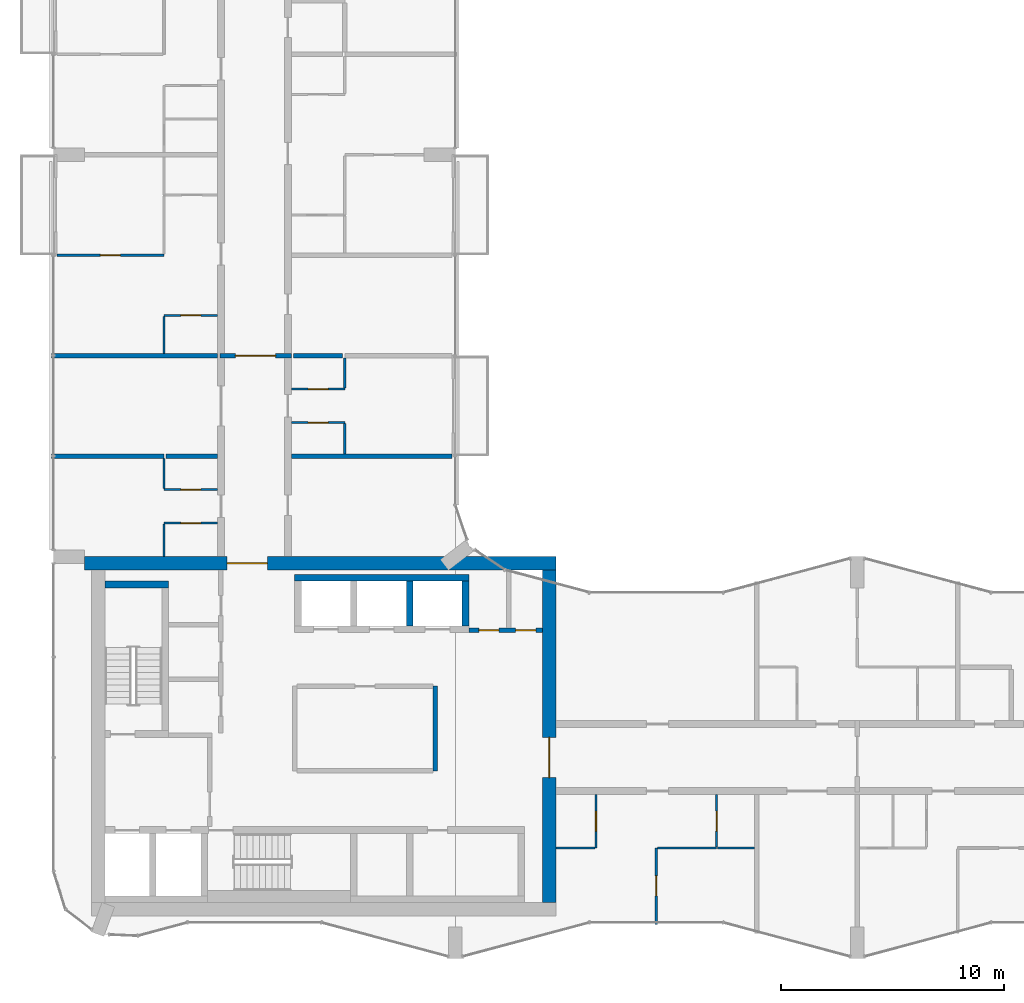
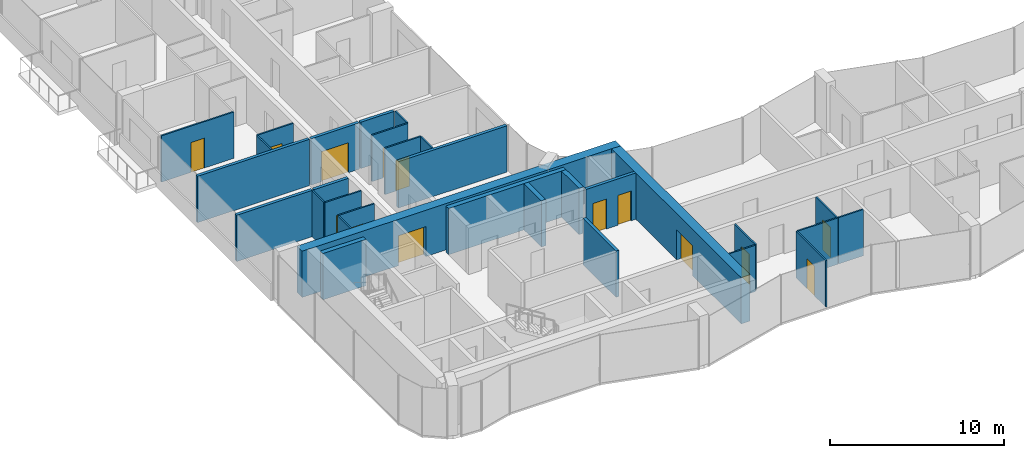
# One storey, part 10 of 15: 31 walls, 14 doors, 14 openings.
"""IFC4 building model written with IfcOpenShell, lengths in metres."""

from ifc_helpers import new_model, si_unit, direction, frame, frame_2d, origin, place, context, subcontext, project, spatial, rectangle, extrude, material, layer, layer_set, type_object, element, fill, save


model = new_model("IFC4")

# Units and contexts
model_context = context("Model", 3, precision=1e-05, world=origin(), true_north=direction((0.0, 1.0)))
body_context = subcontext(model_context, "Body", "Model", "MODEL_VIEW")
ifc_project = project(units=[si_unit("LENGTHUNIT", "METRE"), si_unit("AREAUNIT", "SQUARE_METRE"), si_unit("VOLUMEUNIT", "CUBIC_METRE"), si_unit("PLANEANGLEUNIT", "RADIAN"), si_unit("MASSUNIT", "GRAM", prefix="KILO")], contexts=[model_context])

# Site, building, storey
site_placement = place(None, origin())
site = spatial("IfcSite", under=ifc_project, at=site_placement, CompositionType="ELEMENT")
building_placement = place(site_placement, origin())
building = spatial("IfcBuilding", under=site, at=building_placement, Name="Plateau Cross Towers", CompositionType="ELEMENT")
storey_placement = place(building_placement, frame((0.0, 0.0, 156.89990234375)))
storey = spatial("IfcBuildingStorey", under=building, at=storey_placement, Name="L40", CompositionType="ELEMENT", Elevation=156.89990234375)

# Wall
ifc_material_1 = material(Name="Concrete block, plastered both sides", Category="concrete")
ifc_layer_1 = layer(ifc_material_1, 0.199951171875)
ifc_layer_set_1 = layer_set([ifc_layer_1], Name="Concrete block, plastered both sides")
wall_type_1 = type_object("IfcWallType", Name="Core partition 200", PredefinedType="PARTITIONING", material=ifc_layer_set_1)
wall_1_placement = place(storey_placement, frame((17.10009765625, 8.39990234375, 0.0), z_axis=(0.0, 0.0, 1.0), x_axis=(0.0, 1.0, 0.0)))
element("IfcWall", 1, at=wall_1_placement, inside=storey, type_object=wall_type_1, Name="Core partition", PredefinedType="PARTITIONING", context=body_context, shape_type="SweptSolid", body=[
    extrude(rectangle(XDim=3.800048828125, YDim=0.199951171875, at=frame_2d((1.89990234375, 0.0))), origin(), (0.0, 0.0, 1.0), 3.25),
])

# Wall, openings, doors
wall_2_placement = place(storey_placement, frame((18.60009765625, 14.699951171875, 0.0), z_axis=(0.0, 0.0, 1.0), x_axis=(1.0, 0.0, 0.0)))
wall_2 = element("IfcWall", 2, at=wall_2_placement, inside=storey, type_object=wall_type_1, Name="Core partition", PredefinedType="PARTITIONING", context=body_context, shape_type="SweptSolid", body=[
    extrude(rectangle(XDim=3.2998046875, YDim=0.199951171875, at=frame_2d((1.64990234375, 0.0))), origin(), (0.0, 0.0, 1.0), 3.25),
])
opening_1_placement = place(wall_2_placement, frame((0.449951171875, 0.0, 0.0)))
opening_1 = element("IfcOpeningElement", 3, at=opening_1_placement, cuts=wall_2, Name="Opening RD2", PredefinedType="OPENING", context=body_context, shape_type="SweptSolid", body=[
    extrude(rectangle(XDim=0.89990234375, YDim=2.10009765625, at=frame_2d((0.449951171875, 1.050048828125))), frame((0.0, 0.10986328125, 0.0), z_axis=(0.0, -1.0, 0.0), x_axis=(1.0, 0.0, 0.0)), (0.0, 0.0, 1.0), 0.219970703125),
])
opening_2_placement = place(wall_2_placement, frame((2.10009765625, 0.0, 0.0)))
opening_2 = element("IfcOpeningElement", 4, at=opening_2_placement, cuts=wall_2, Name="Opening RD2", PredefinedType="OPENING", context=body_context, shape_type="SweptSolid", body=[
    extrude(rectangle(XDim=0.89990234375, YDim=2.10009765625, at=frame_2d((0.449951171875, 1.050048828125))), frame((0.0, 0.10986328125, 0.0), z_axis=(0.0, -1.0, 0.0), x_axis=(1.0, 0.0, 0.0)), (0.0, 0.0, 1.0), 0.219970703125),
])
ifc_material_2 = material(Name="Steel, fire-resisting leaf", Category="steel")
door_type_1 = type_object("IfcDoorType", Name="Core riser door 900", OperationType="NOTDEFINED", PredefinedType="DOOR", material=ifc_material_2)
door_1_placement = place(opening_1_placement, origin())
door_1 = element("IfcDoor", 5, at=door_1_placement, inside=storey, type_object=door_type_1, Name="Core riser door RD2", OperationType="SINGLE_SWING_LEFT", OverallHeight=2.10009765625, OverallWidth=0.89990234375, PredefinedType="DOOR", context=body_context, shape_type="SweptSolid", body=[
    extrude(rectangle(XDim=0.89990234375, YDim=2.10009765625, at=frame_2d((0.449951171875, 1.050048828125))), frame((0.0, 0.02490234375, 0.0), z_axis=(0.0, -1.0, 0.0), x_axis=(1.0, 0.0, 0.0)), (0.0, 0.0, 1.0), 0.050048828125),
])
fill(opening_1, door_1)
door_2_placement = place(opening_2_placement, origin())
door_2 = element("IfcDoor", 6, at=door_2_placement, inside=storey, type_object=door_type_1, Name="Core riser door RD2", OperationType="SINGLE_SWING_LEFT", OverallHeight=2.10009765625, OverallWidth=0.89990234375, PredefinedType="DOOR", context=body_context, shape_type="SweptSolid", body=[
    extrude(rectangle(XDim=0.89990234375, YDim=2.10009765625, at=frame_2d((0.449951171875, 1.050048828125))), frame((0.0, 0.02490234375, 0.0), z_axis=(0.0, -1.0, 0.0), x_axis=(1.0, 0.0, 0.0)), (0.0, 0.0, 1.0), 0.050048828125),
])
fill(opening_2, door_2)

# Walls
ifc_material_3 = material(Name="Concrete C60/75", Category="concrete")
ifc_layer_2 = layer(ifc_material_3, 0.300048828125)
ifc_layer_set_2 = layer_set([ifc_layer_2], Name="Concrete C60/75")
wall_type_2 = type_object("IfcWallType", Name="Core shaft wall 300", PredefinedType="SHEAR", material=ifc_layer_set_2)
wall_3_placement = place(storey_placement, frame((2.300048828125, 16.75, 0.0), z_axis=(0.0, 0.0, 1.0), x_axis=(1.0, 0.0, 0.0)))
element("IfcWall", 7, at=wall_3_placement, inside=storey, type_object=wall_type_2, Name="A-st1-N@L40", PredefinedType="SHEAR", context=body_context, shape_type="SweptSolid", body=[
    extrude(rectangle(XDim=2.849853515625, YDim=0.300048828125, at=frame_2d((1.4248046875, 0.0))), origin(), (0.0, 0.0, 1.0), 3.25),
])
wall_4_placement = place(storey_placement, frame((10.800048828125, 17.050048828125, 0.0), z_axis=(0.0, 0.0, 1.0), x_axis=(1.0, 0.0, 0.0)))
element("IfcWall", 8, at=wall_4_placement, inside=storey, type_object=wall_type_2, Name="A-nb-back@L40", PredefinedType="SHEAR", context=body_context, shape_type="SweptSolid", body=[
    extrude(rectangle(XDim=7.800048828125, YDim=0.300048828125, at=frame_2d((3.89990234375, 0.0))), origin(), (0.0, 0.0, 1.0), 3.25),
])
for number, where, z_axis, x_axis, name in (
    (9, (15.949951171875, 14.89990234375, 0.0), (0.0, 0.0, 1.0), (0.0, 1.0, 0.0), "A-nb-v3@L40"),
    (10, (18.449951171875, 14.89990234375, 0.0), (0.0, 0.0, 1.0), (0.0, 1.0, 0.0), "A-nb-v4@L40"),
):
    element("IfcWall", number, at=place(storey_placement, frame(where, z_axis=z_axis, x_axis=x_axis)), inside=storey, type_object=wall_type_2, Name=name, PredefinedType="SHEAR", context=body_context, shape_type="SweptSolid", body=[
        extrude(rectangle(XDim=2.0, YDim=0.300048828125, at=frame_2d((1.0, 0.0))), origin(), (0.0, 0.0, 1.0), 3.25),
    ])

# Wall, opening, door
ifc_layer_3 = layer(ifc_material_3, 0.60009765625)
ifc_layer_set_3 = layer_set([ifc_layer_3], Name="Concrete C60/75")
wall_type_3 = type_object("IfcWallType", Name="Core shell wall 600", PredefinedType="SHEAR", material=ifc_layer_set_3)
wall_5_placement = place(storey_placement, frame((1.3798828125, 17.699951171875, 0.0), z_axis=(0.0, 0.0, 1.0), x_axis=(1.0, 0.0, 0.0)))
wall_5 = element("IfcWall", 11, at=wall_5_placement, inside=storey, type_object=wall_type_3, Name="A-core-N@L40", PredefinedType="SHEAR", context=body_context, shape_type="SweptSolid", body=[
    extrude(rectangle(XDim=21.1201171875, YDim=0.60009765625, at=frame_2d((10.56005859375, 0.0))), origin(), (0.0, 0.0, 1.0), 3.25),
])
opening_3_placement = place(wall_5_placement, frame((6.39990234375, 0.0, 0.0)))
opening_3 = element("IfcOpeningElement", 12, at=opening_3_placement, cuts=wall_5, Name="Opening CD", PredefinedType="OPENING", context=body_context, shape_type="SweptSolid", body=[
    extrude(rectangle(XDim=1.800048828125, YDim=2.10009765625, at=frame_2d((0.89990234375, 1.050048828125))), frame((0.0, 0.31005859375, 0.0), z_axis=(0.0, -1.0, 0.0), x_axis=(1.0, 0.0, 0.0)), (0.0, 0.0, 1.0), 0.6201171875),
])
ifc_material_4 = material(Name="Steel, fire-resisting leaves", Category="steel")
door_type_2 = type_object("IfcDoorType", Name="Corridor door pair 1800", OperationType="NOTDEFINED", PredefinedType="DOOR", material=ifc_material_4)
door_3_placement = place(opening_3_placement, origin())
door_3 = element("IfcDoor", 13, at=door_3_placement, inside=storey, type_object=door_type_2, Name="Corridor door pair CD", OperationType="DOUBLE_DOOR_SINGLE_SWING", OverallHeight=2.10009765625, OverallWidth=1.800048828125, PredefinedType="DOOR", context=body_context, shape_type="SweptSolid", body=[
    extrude(rectangle(XDim=1.800048828125, YDim=2.10009765625, at=frame_2d((0.89990234375, 1.050048828125))), frame((0.0, 0.02490234375, 0.0), z_axis=(0.0, -1.0, 0.0), x_axis=(1.0, 0.0, 0.0)), (0.0, 0.0, 1.0), 0.050048828125),
])
fill(opening_3, door_3)

wall_6_placement = place(storey_placement, frame((22.199951171875, 2.5, 0.0), z_axis=(0.0, 0.0, 1.0), x_axis=(0.0, 1.0, 0.0)))
wall_6 = element("IfcWall", 14, at=wall_6_placement, inside=storey, type_object=wall_type_3, Name="A-core-E@L40", PredefinedType="SHEAR", context=body_context, shape_type="SweptSolid", body=[
    extrude(rectangle(XDim=14.89990234375, YDim=0.60009765625, at=frame_2d((7.449951171875, 0.0))), origin(), (0.0, 0.0, 1.0), 3.25),
])
opening_4_placement = place(wall_6_placement, frame((5.60009765625, 0.0, 0.0)))
opening_4 = element("IfcOpeningElement", 15, at=opening_4_placement, cuts=wall_6, Name="Opening CD", PredefinedType="OPENING", context=body_context, shape_type="SweptSolid", body=[
    extrude(rectangle(XDim=1.800048828125, YDim=2.10009765625, at=frame_2d((0.89990234375, 1.050048828125))), frame((0.0, 0.31005859375, 0.0), z_axis=(0.0, -1.0, 0.0), x_axis=(1.0, 0.0, 0.0)), (0.0, 0.0, 1.0), 0.6201171875),
])
door_4_placement = place(opening_4_placement, origin())
door_4 = element("IfcDoor", 16, at=door_4_placement, inside=storey, type_object=door_type_2, Name="Corridor door pair CD", OperationType="DOUBLE_DOOR_SINGLE_SWING", OverallHeight=2.10009765625, OverallWidth=1.800048828125, PredefinedType="DOOR", context=body_context, shape_type="SweptSolid", body=[
    extrude(rectangle(XDim=1.800048828125, YDim=2.10009765625, at=frame_2d((0.89990234375, 1.050048828125))), frame((0.0, 0.02490234375, 0.0), z_axis=(0.0, -1.0, 0.0), x_axis=(1.0, 0.0, 0.0)), (0.0, 0.0, 1.0), 0.050048828125),
])
fill(opening_4, door_4)

# Walls
ifc_material_5 = material(Name="Gypsum board on steel studs", Category="steel")
ifc_layer_4 = layer(ifc_material_5, 0.10009765625)
ifc_layer_set_4 = layer_set([ifc_layer_4], Name="Gypsum board on steel studs")
wall_type_4 = type_object("IfcWallType", Name="Flat partition 100", PredefinedType="PARTITIONING", material=ifc_layer_set_4)
wall_7_placement = place(storey_placement, frame((29.699951171875, 4.949951171875, 0.0), z_axis=(0.0, 0.0, 1.0), x_axis=(-1.0, 0.0, 0.0)))
element("IfcWall", 17, at=wall_7_placement, inside=storey, type_object=wall_type_4, Name="Partition wall", PredefinedType="PARTITIONING", context=body_context, shape_type="SweptSolid", body=[
    extrude(rectangle(XDim=2.64990234375, YDim=0.10009765625, at=frame_2d((1.324951171875, 0.0))), origin(), (0.0, 0.0, 1.0), 3.25),
])
wall_8_placement = place(storey_placement, frame((22.5, 4.949951171875, 0.0), z_axis=(0.0, 0.0, 1.0), x_axis=(1.0, 0.0, 0.0)))
element("IfcWall", 18, at=wall_8_placement, inside=storey, type_object=wall_type_4, Name="Partition wall", PredefinedType="PARTITIONING", context=body_context, shape_type="SweptSolid", body=[
    extrude(rectangle(XDim=1.75, YDim=0.10009765625, at=frame_2d((0.875, 0.0))), origin(), (0.0, 0.0, 1.0), 3.25),
])
wall_9_placement = place(storey_placement, frame((29.75, 4.949951171875, 0.0), z_axis=(0.0, 0.0, 1.0), x_axis=(1.0, 0.0, 0.0)))
element("IfcWall", 19, at=wall_9_placement, inside=storey, type_object=wall_type_4, Name="Partition wall", PredefinedType="PARTITIONING", context=body_context, shape_type="SweptSolid", body=[
    extrude(rectangle(XDim=1.64990234375, YDim=0.10009765625, at=frame_2d((0.824951171875, 0.0))), origin(), (0.0, 0.0, 1.0), 3.25),
])

# Wall, opening, door
wall_10_placement = place(storey_placement, frame((7.35009765625, 19.5, 0.0), z_axis=(0.0, 0.0, 1.0), x_axis=(-1.0, 0.0, 0.0)))
wall_10 = element("IfcWall", 20, at=wall_10_placement, inside=storey, type_object=wall_type_4, Name="Partition wall", PredefinedType="PARTITIONING", context=body_context, shape_type="SweptSolid", body=[
    extrude(rectangle(XDim=2.400146484375, YDim=0.10009765625, at=frame_2d((1.2001953125, 0.0))), origin(), (0.0, 0.0, 1.0), 3.25),
])
opening_5_placement = place(wall_10_placement, frame((0.75, 0.0, 0.0)))
opening_5 = element("IfcOpeningElement", 21, at=opening_5_placement, cuts=wall_10, Name="Opening 40-33", PredefinedType="OPENING", context=body_context, shape_type="SweptSolid", body=[
    extrude(rectangle(XDim=0.89990234375, YDim=2.10009765625, at=frame_2d((0.449951171875, 1.050048828125))), frame((0.0, 0.06005859375, 0.0), z_axis=(0.0, -1.0, 0.0), x_axis=(1.0, 0.0, 0.0)), (0.0, 0.0, 1.0), 0.1201171875),
])
ifc_material_6 = material(Name="Timber leaf", Category="wood")
door_type_3 = type_object("IfcDoorType", Name="Flat room door 900", OperationType="NOTDEFINED", PredefinedType="DOOR", material=ifc_material_6)
door_5_placement = place(opening_5_placement, origin())
door_5 = element("IfcDoor", 22, at=door_5_placement, inside=storey, type_object=door_type_3, Name="Door 40-33", OperationType="SINGLE_SWING_RIGHT", OverallHeight=2.10009765625, OverallWidth=0.89990234375, PredefinedType="DOOR", context=body_context, shape_type="SweptSolid", body=[
    extrude(rectangle(XDim=0.89990234375, YDim=2.10009765625, at=frame_2d((0.449951171875, 1.050048828125))), frame((0.0, 0.02490234375, 0.0), z_axis=(0.0, -1.0, 0.0), x_axis=(1.0, 0.0, 0.0)), (0.0, 0.0, 1.0), 0.050048828125),
])
fill(opening_5, door_5)

wall_11_placement = place(storey_placement, frame((4.949951171875, 21.0, 0.0), z_axis=(0.0, 0.0, 1.0), x_axis=(1.0, 0.0, 0.0)))
wall_11 = element("IfcWall", 23, at=wall_11_placement, inside=storey, type_object=wall_type_4, Name="Partition wall", PredefinedType="PARTITIONING", context=body_context, shape_type="SweptSolid", body=[
    extrude(rectangle(XDim=2.400146484375, YDim=0.10009765625, at=frame_2d((1.2001953125, 0.0))), origin(), (0.0, 0.0, 1.0), 3.25),
])
opening_6_placement = place(wall_11_placement, frame((0.75, 0.0, 0.0)))
opening_6 = element("IfcOpeningElement", 24, at=opening_6_placement, cuts=wall_11, Name="Opening 40-34", PredefinedType="OPENING", context=body_context, shape_type="SweptSolid", body=[
    extrude(rectangle(XDim=0.89990234375, YDim=2.10009765625, at=frame_2d((0.449951171875, 1.050048828125))), frame((0.0, 0.06005859375, 0.0), z_axis=(0.0, -1.0, 0.0), x_axis=(1.0, 0.0, 0.0)), (0.0, 0.0, 1.0), 0.1201171875),
])
door_6_placement = place(opening_6_placement, origin())
door_6 = element("IfcDoor", 25, at=door_6_placement, inside=storey, type_object=door_type_3, Name="Door 40-34", OperationType="SINGLE_SWING_RIGHT", OverallHeight=2.10009765625, OverallWidth=0.89990234375, PredefinedType="DOOR", context=body_context, shape_type="SweptSolid", body=[
    extrude(rectangle(XDim=0.89990234375, YDim=2.10009765625, at=frame_2d((0.449951171875, 1.050048828125))), frame((0.0, 0.02490234375, 0.0), z_axis=(0.0, -1.0, 0.0), x_axis=(1.0, 0.0, 0.0)), (0.0, 0.0, 1.0), 0.050048828125),
])
fill(opening_6, door_6)

wall_12_placement = place(storey_placement, frame((13.050048828125, 24.0, 0.0), z_axis=(0.0, 0.0, 1.0), x_axis=(-1.0, 0.0, 0.0)))
wall_12 = element("IfcWall", 26, at=wall_12_placement, inside=storey, type_object=wall_type_4, Name="Partition wall", PredefinedType="PARTITIONING", context=body_context, shape_type="SweptSolid", body=[
    extrude(rectangle(XDim=2.400146484375, YDim=0.10009765625, at=frame_2d((1.2001953125, 0.0))), origin(), (0.0, 0.0, 1.0), 3.25),
])
opening_7_placement = place(wall_12_placement, frame((0.75, 0.0, 0.0)))
opening_7 = element("IfcOpeningElement", 27, at=opening_7_placement, cuts=wall_12, Name="Opening 40-43", PredefinedType="OPENING", context=body_context, shape_type="SweptSolid", body=[
    extrude(rectangle(XDim=0.89990234375, YDim=2.10009765625, at=frame_2d((0.449951171875, 1.050048828125))), frame((0.0, 0.06005859375, 0.0), z_axis=(0.0, -1.0, 0.0), x_axis=(1.0, 0.0, 0.0)), (0.0, 0.0, 1.0), 0.1201171875),
])
door_7_placement = place(opening_7_placement, origin())
door_7 = element("IfcDoor", 28, at=door_7_placement, inside=storey, type_object=door_type_3, Name="Door 40-43", OperationType="SINGLE_SWING_LEFT", OverallHeight=2.10009765625, OverallWidth=0.89990234375, PredefinedType="DOOR", context=body_context, shape_type="SweptSolid", body=[
    extrude(rectangle(XDim=0.89990234375, YDim=2.10009765625, at=frame_2d((0.449951171875, 1.050048828125))), frame((0.0, 0.02490234375, 0.0), z_axis=(0.0, -1.0, 0.0), x_axis=(1.0, 0.0, 0.0)), (0.0, 0.0, 1.0), 0.050048828125),
])
fill(opening_7, door_7)

wall_13_placement = place(storey_placement, frame((10.64990234375, 25.5, 0.0), z_axis=(0.0, 0.0, 1.0), x_axis=(1.0, 0.0, 0.0)))
wall_13 = element("IfcWall", 29, at=wall_13_placement, inside=storey, type_object=wall_type_4, Name="Partition wall", PredefinedType="PARTITIONING", context=body_context, shape_type="SweptSolid", body=[
    extrude(rectangle(XDim=2.400146484375, YDim=0.10009765625, at=frame_2d((1.2001953125, 0.0))), origin(), (0.0, 0.0, 1.0), 3.25),
])
opening_8_placement = place(wall_13_placement, frame((0.75, 0.0, 0.0)))
opening_8 = element("IfcOpeningElement", 30, at=opening_8_placement, cuts=wall_13, Name="Opening 40-44", PredefinedType="OPENING", context=body_context, shape_type="SweptSolid", body=[
    extrude(rectangle(XDim=0.89990234375, YDim=2.10009765625, at=frame_2d((0.449951171875, 1.050048828125))), frame((0.0, 0.06005859375, 0.0), z_axis=(0.0, -1.0, 0.0), x_axis=(1.0, 0.0, 0.0)), (0.0, 0.0, 1.0), 0.1201171875),
])
door_8_placement = place(opening_8_placement, origin())
door_8 = element("IfcDoor", 31, at=door_8_placement, inside=storey, type_object=door_type_3, Name="Door 40-44", OperationType="SINGLE_SWING_LEFT", OverallHeight=2.10009765625, OverallWidth=0.89990234375, PredefinedType="DOOR", context=body_context, shape_type="SweptSolid", body=[
    extrude(rectangle(XDim=0.89990234375, YDim=2.10009765625, at=frame_2d((0.449951171875, 1.050048828125))), frame((0.0, 0.02490234375, 0.0), z_axis=(0.0, -1.0, 0.0), x_axis=(1.0, 0.0, 0.0)), (0.0, 0.0, 1.0), 0.050048828125),
])
fill(opening_8, door_8)

wall_14_placement = place(storey_placement, frame((7.35009765625, 28.800048828125, 0.0), z_axis=(0.0, 0.0, 1.0), x_axis=(-1.0, 0.0, 0.0)))
wall_14 = element("IfcWall", 32, at=wall_14_placement, inside=storey, type_object=wall_type_4, Name="Partition wall", PredefinedType="PARTITIONING", context=body_context, shape_type="SweptSolid", body=[
    extrude(rectangle(XDim=2.400146484375, YDim=0.10009765625, at=frame_2d((1.2001953125, 0.0))), origin(), (0.0, 0.0, 1.0), 3.25),
])
opening_9_placement = place(wall_14_placement, frame((0.75, 0.0, 0.0)))
opening_9 = element("IfcOpeningElement", 33, at=opening_9_placement, cuts=wall_14, Name="Opening 40-35", PredefinedType="OPENING", context=body_context, shape_type="SweptSolid", body=[
    extrude(rectangle(XDim=0.89990234375, YDim=2.10009765625, at=frame_2d((0.449951171875, 1.050048828125))), frame((0.0, 0.06005859375, 0.0), z_axis=(0.0, -1.0, 0.0), x_axis=(1.0, 0.0, 0.0)), (0.0, 0.0, 1.0), 0.1201171875),
])
door_9_placement = place(opening_9_placement, origin())
door_9 = element("IfcDoor", 34, at=door_9_placement, inside=storey, type_object=door_type_3, Name="Door 40-35", OperationType="SINGLE_SWING_RIGHT", OverallHeight=2.10009765625, OverallWidth=0.89990234375, PredefinedType="DOOR", context=body_context, shape_type="SweptSolid", body=[
    extrude(rectangle(XDim=0.89990234375, YDim=2.10009765625, at=frame_2d((0.449951171875, 1.050048828125))), frame((0.0, 0.02490234375, 0.0), z_axis=(0.0, -1.0, 0.0), x_axis=(1.0, 0.0, 0.0)), (0.0, 0.0, 1.0), 0.050048828125),
])
fill(opening_9, door_9)

wall_15_placement = place(storey_placement, frame((0.14990234375, 31.5, 0.0), z_axis=(0.0, 0.0, 1.0), x_axis=(1.0, 0.0, 0.0)))
wall_15 = element("IfcWall", 35, at=wall_15_placement, inside=storey, type_object=wall_type_4, Name="Partition wall", PredefinedType="PARTITIONING", context=body_context, shape_type="SweptSolid", body=[
    extrude(rectangle(XDim=4.800048828125, YDim=0.10009765625, at=frame_2d((2.39990234375, 0.0))), origin(), (0.0, 0.0, 1.0), 3.25),
])
opening_10_placement = place(wall_15_placement, frame((1.949951171875, 0.0, 0.0)))
opening_10 = element("IfcOpeningElement", 36, at=opening_10_placement, cuts=wall_15, Name="Opening 40-37", PredefinedType="OPENING", context=body_context, shape_type="SweptSolid", body=[
    extrude(rectangle(XDim=0.89990234375, YDim=2.10009765625, at=frame_2d((0.449951171875, 1.050048828125))), frame((0.0, 0.06005859375, 0.0), z_axis=(0.0, -1.0, 0.0), x_axis=(1.0, 0.0, 0.0)), (0.0, 0.0, 1.0), 0.1201171875),
])
door_10_placement = place(opening_10_placement, origin())
door_10 = element("IfcDoor", 37, at=door_10_placement, inside=storey, type_object=door_type_3, Name="Door 40-37", OperationType="SINGLE_SWING_LEFT", OverallHeight=2.10009765625, OverallWidth=0.89990234375, PredefinedType="DOOR", context=body_context, shape_type="SweptSolid", body=[
    extrude(rectangle(XDim=0.89990234375, YDim=2.10009765625, at=frame_2d((0.449951171875, 1.050048828125))), frame((0.0, 0.02490234375, 0.0), z_axis=(0.0, -1.0, 0.0), x_axis=(1.0, 0.0, 0.0)), (0.0, 0.0, 1.0), 0.050048828125),
])
fill(opening_10, door_10)

# Walls
wall_16_placement = place(storey_placement, frame((4.949951171875, 19.449951171875, 0.0), z_axis=(0.0, 0.0, 1.0), x_axis=(0.0, -1.0, 0.0)))
element("IfcWall", 38, at=wall_16_placement, inside=storey, type_object=wall_type_4, Name="Partition wall", PredefinedType="PARTITIONING", context=body_context, shape_type="SweptSolid", body=[
    extrude(rectangle(XDim=1.449951171875, YDim=0.10009765625, at=frame_2d((0.72509765625, 0.0))), origin(), (0.0, 0.0, 1.0), 3.25),
])
wall_17_placement = place(storey_placement, frame((4.949951171875, 22.39990234375, 0.0), z_axis=(0.0, 0.0, 1.0), x_axis=(0.0, -1.0, 0.0)))
element("IfcWall", 39, at=wall_17_placement, inside=storey, type_object=wall_type_4, Name="Partition wall", PredefinedType="PARTITIONING", context=body_context, shape_type="SweptSolid", body=[
    extrude(rectangle(XDim=1.349853515625, YDim=0.10009765625, at=frame_2d((0.6748046875, 0.0))), origin(), (0.0, 0.0, 1.0), 3.25),
])
wall_18_placement = place(storey_placement, frame((4.949951171875, 28.75, 0.0), z_axis=(0.0, 0.0, 1.0), x_axis=(0.0, -1.0, 0.0)))
element("IfcWall", 40, at=wall_18_placement, inside=storey, type_object=wall_type_4, Name="Partition wall", PredefinedType="PARTITIONING", context=body_context, shape_type="SweptSolid", body=[
    extrude(rectangle(XDim=1.64990234375, YDim=0.10009765625, at=frame_2d((0.824951171875, 0.0))), origin(), (0.0, 0.0, 1.0), 3.25),
])
for number, where, z_axis, x_axis, name in (
    (41, (13.050048828125, 22.60009765625, 0.0), (0.0, 0.0, 1.0), (0.0, 1.0, 0.0), "Partition wall"),
    (42, (13.050048828125, 25.550048828125, 0.0), (0.0, 0.0, 1.0), (0.0, 1.0, 0.0), "Partition wall"),
):
    element("IfcWall", number, at=place(storey_placement, frame(where, z_axis=z_axis, x_axis=x_axis)), inside=storey, type_object=wall_type_4, Name=name, PredefinedType="PARTITIONING", context=body_context, shape_type="SweptSolid", body=[
        extrude(rectangle(XDim=1.349853515625, YDim=0.10009765625, at=frame_2d((0.6748046875, 0.0))), origin(), (0.0, 0.0, 1.0), 3.25),
    ])

# Wall, opening, door
wall_19_placement = place(storey_placement, frame((24.300048828125, 4.949951171875, 0.0), z_axis=(0.0, 0.0, 1.0), x_axis=(0.0, 1.0, 0.0)))
wall_19 = element("IfcWall", 43, at=wall_19_placement, inside=storey, type_object=wall_type_4, Name="Partition wall", PredefinedType="PARTITIONING", context=body_context, shape_type="SweptSolid", body=[
    extrude(rectangle(XDim=2.400146484375, YDim=0.10009765625, at=frame_2d((1.2001953125, 0.0))), origin(), (0.0, 0.0, 1.0), 3.25),
])
opening_11_placement = place(wall_19_placement, frame((0.75, 0.0, 0.0)))
opening_11 = element("IfcOpeningElement", 44, at=opening_11_placement, cuts=wall_19, Name="Opening 40-22", PredefinedType="OPENING", context=body_context, shape_type="SweptSolid", body=[
    extrude(rectangle(XDim=0.89990234375, YDim=2.10009765625, at=frame_2d((0.449951171875, 1.050048828125))), frame((0.0, 0.06005859375, 0.0), z_axis=(0.0, -1.0, 0.0), x_axis=(1.0, 0.0, 0.0)), (0.0, 0.0, 1.0), 0.1201171875),
])
door_11_placement = place(opening_11_placement, origin())
door_11 = element("IfcDoor", 45, at=door_11_placement, inside=storey, type_object=door_type_3, Name="Door 40-22", OperationType="SINGLE_SWING_RIGHT", OverallHeight=2.10009765625, OverallWidth=0.89990234375, PredefinedType="DOOR", context=body_context, shape_type="SweptSolid", body=[
    extrude(rectangle(XDim=0.89990234375, YDim=2.10009765625, at=frame_2d((0.449951171875, 1.050048828125))), frame((0.0, 0.02490234375, 0.0), z_axis=(0.0, -1.0, 0.0), x_axis=(1.0, 0.0, 0.0)), (0.0, 0.0, 1.0), 0.050048828125),
])
fill(opening_11, door_11)

wall_20_placement = place(storey_placement, frame((27.0, 4.949951171875, 0.0), z_axis=(0.0, 0.0, 1.0), x_axis=(0.0, -1.0, 0.0)))
wall_20 = element("IfcWall", 46, at=wall_20_placement, inside=storey, type_object=wall_type_4, Name="Partition wall", PredefinedType="PARTITIONING", context=body_context, shape_type="SweptSolid", body=[
    extrude(rectangle(XDim=3.423095703125, YDim=0.10009765625, at=frame_2d((1.71142578125, 0.0))), origin(), (0.0, 0.0, 1.0), 3.25),
])
opening_12_placement = place(wall_20_placement, frame((1.25, 0.0, 0.0)))
opening_12 = element("IfcOpeningElement", 47, at=opening_12_placement, cuts=wall_20, Name="Opening 40-24", PredefinedType="OPENING", context=body_context, shape_type="SweptSolid", body=[
    extrude(rectangle(XDim=0.89990234375, YDim=2.10009765625, at=frame_2d((0.449951171875, 1.050048828125))), frame((0.0, 0.06005859375, 0.0), z_axis=(0.0, -1.0, 0.0), x_axis=(1.0, 0.0, 0.0)), (0.0, 0.0, 1.0), 0.1201171875),
])
door_12_placement = place(opening_12_placement, origin())
door_12 = element("IfcDoor", 48, at=door_12_placement, inside=storey, type_object=door_type_3, Name="Door 40-24", OperationType="SINGLE_SWING_LEFT", OverallHeight=2.10009765625, OverallWidth=0.89990234375, PredefinedType="DOOR", context=body_context, shape_type="SweptSolid", body=[
    extrude(rectangle(XDim=0.89990234375, YDim=2.10009765625, at=frame_2d((0.449951171875, 1.050048828125))), frame((0.0, 0.02490234375, 0.0), z_axis=(0.0, -1.0, 0.0), x_axis=(1.0, 0.0, 0.0)), (0.0, 0.0, 1.0), 0.050048828125),
])
fill(opening_12, door_12)

wall_21_placement = place(storey_placement, frame((29.699951171875, 7.35009765625, 0.0), z_axis=(0.0, 0.0, 1.0), x_axis=(0.0, -1.0, 0.0)))
wall_21 = element("IfcWall", 49, at=wall_21_placement, inside=storey, type_object=wall_type_4, Name="Partition wall", PredefinedType="PARTITIONING", context=body_context, shape_type="SweptSolid", body=[
    extrude(rectangle(XDim=2.35009765625, YDim=0.10009765625, at=frame_2d((1.175048828125, 0.0))), origin(), (0.0, 0.0, 1.0), 3.25),
])
opening_13_placement = place(wall_21_placement, frame((0.75, 0.0, 0.0)))
opening_13 = element("IfcOpeningElement", 50, at=opening_13_placement, cuts=wall_21, Name="Opening 40-23", PredefinedType="OPENING", context=body_context, shape_type="SweptSolid", body=[
    extrude(rectangle(XDim=0.89990234375, YDim=2.10009765625, at=frame_2d((0.449951171875, 1.050048828125))), frame((0.0, 0.06005859375, 0.0), z_axis=(0.0, -1.0, 0.0), x_axis=(1.0, 0.0, 0.0)), (0.0, 0.0, 1.0), 0.1201171875),
])
door_13_placement = place(opening_13_placement, origin())
door_13 = element("IfcDoor", 51, at=door_13_placement, inside=storey, type_object=door_type_3, Name="Door 40-23", OperationType="SINGLE_SWING_RIGHT", OverallHeight=2.10009765625, OverallWidth=0.89990234375, PredefinedType="DOOR", context=body_context, shape_type="SweptSolid", body=[
    extrude(rectangle(XDim=0.89990234375, YDim=2.10009765625, at=frame_2d((0.449951171875, 1.050048828125))), frame((0.0, 0.02490234375, 0.0), z_axis=(0.0, -1.0, 0.0), x_axis=(1.0, 0.0, 0.0)), (0.0, 0.0, 1.0), 0.050048828125),
])
fill(opening_13, door_13)

# Walls
ifc_material_7 = material(Name="Gypsum board on steel studs, two layers each side", Category="steel")
ifc_layer_5 = layer(ifc_material_7, 0.199951171875)
ifc_layer_set_5 = layer_set([ifc_layer_5], Name="Gypsum board on steel studs, two layers each side")
wall_type_5 = type_object("IfcWallType", Name="Flat party wall 200", PredefinedType="PARTITIONING", material=ifc_layer_set_5)
wall_22_placement = place(storey_placement, frame((7.35009765625, 22.5, 0.0), z_axis=(0.0, 0.0, 1.0), x_axis=(-1.0, 0.0, 0.0)))
element("IfcWall", 52, at=wall_22_placement, inside=storey, type_object=wall_type_5, Name="Party wall", PredefinedType="PARTITIONING", context=body_context, shape_type="SweptSolid", body=[
    extrude(rectangle(XDim=2.300048828125, YDim=0.199951171875, at=frame_2d((1.14990234375, 0.0))), origin(), (0.0, 0.0, 1.0), 3.25),
])
wall_23_placement = place(storey_placement, frame((17.85009765625, 22.5, 0.0), z_axis=(0.0, 0.0, 1.0), x_axis=(-1.0, 0.0, 0.0)))
element("IfcWall", 53, at=wall_23_placement, inside=storey, type_object=wall_type_5, Name="Party wall", PredefinedType="PARTITIONING", context=body_context, shape_type="SweptSolid", body=[
    extrude(rectangle(XDim=7.2001953125, YDim=0.199951171875, at=frame_2d((3.60009765625, 0.0))), origin(), (0.0, 0.0, 1.0), 3.25),
])
wall_24_placement = place(storey_placement, frame((-0.080078125, 22.5, 0.0), z_axis=(0.0, 0.0, 1.0), x_axis=(1.0, 0.0, 0.0)))
element("IfcWall", 54, at=wall_24_placement, inside=storey, type_object=wall_type_5, Name="Party wall", PredefinedType="PARTITIONING", context=body_context, shape_type="SweptSolid", body=[
    extrude(rectangle(XDim=5.030029296875, YDim=0.199951171875, at=frame_2d((2.51513671875, 0.0))), origin(), (0.0, 0.0, 1.0), 3.25),
])
wall_25_placement = place(storey_placement, frame((7.35009765625, 27.0, 0.0), z_axis=(0.0, 0.0, 1.0), x_axis=(-1.0, 0.0, 0.0)))
element("IfcWall", 55, at=wall_25_placement, inside=storey, type_object=wall_type_5, Name="Party wall", PredefinedType="PARTITIONING", context=body_context, shape_type="SweptSolid", body=[
    extrude(rectangle(XDim=7.43017578125, YDim=0.199951171875, at=frame_2d((3.715087890625, 0.0))), origin(), (0.0, 0.0, 1.0), 3.25),
])
wall_26_placement = place(storey_placement, frame((12.949951171875, 27.0, 0.0), z_axis=(0.0, 0.0, 1.0), x_axis=(-1.0, 0.0, 0.0)))
element("IfcWall", 56, at=wall_26_placement, inside=storey, type_object=wall_type_5, Name="Party wall", PredefinedType="PARTITIONING", context=body_context, shape_type="SweptSolid", body=[
    extrude(rectangle(XDim=2.199951171875, YDim=0.199951171875, at=frame_2d((1.10009765625, 0.0))), origin(), (0.0, 0.0, 1.0), 3.25),
])

# Wall, opening, door
wall_27_placement = place(storey_placement, frame((7.449951171875, 27.0, 0.0), z_axis=(0.0, 0.0, 1.0), x_axis=(1.0, 0.0, 0.0)))
wall_27 = element("IfcWall", 57, at=wall_27_placement, inside=storey, type_object=wall_type_5, Name="Party wall", PredefinedType="PARTITIONING", context=body_context, shape_type="SweptSolid", body=[
    extrude(rectangle(XDim=3.199951171875, YDim=0.199951171875, at=frame_2d((1.60009765625, 0.0))), origin(), (0.0, 0.0, 1.0), 3.25),
])
opening_14_placement = place(wall_27_placement, frame((0.699951171875, 0.0, 0.0)))
opening_14 = element("IfcOpeningElement", 58, at=opening_14_placement, cuts=wall_27, Name="Opening 40-19", PredefinedType="OPENING", context=body_context, shape_type="SweptSolid", body=[
    extrude(rectangle(XDim=1.800048828125, YDim=2.10009765625, at=frame_2d((0.89990234375, 1.050048828125))), frame((0.0, 0.10986328125, 0.0), z_axis=(0.0, -1.0, 0.0), x_axis=(1.0, 0.0, 0.0)), (0.0, 0.0, 1.0), 0.219970703125),
])
ifc_material_8 = material(Name="Timber, fire-resisting leaves", Category="wood")
door_type_4 = type_object("IfcDoorType", Name="Flat floor fire door pair 1800", OperationType="NOTDEFINED", PredefinedType="DOOR", material=ifc_material_8)
door_14_placement = place(opening_14_placement, origin())
door_14 = element("IfcDoor", 59, at=door_14_placement, inside=storey, type_object=door_type_4, Name="Door 40-19", OperationType="SINGLE_SWING_LEFT", OverallHeight=2.10009765625, OverallWidth=1.800048828125, PredefinedType="DOOR", context=body_context, shape_type="SweptSolid", body=[
    extrude(rectangle(XDim=1.800048828125, YDim=2.10009765625, at=frame_2d((0.89990234375, 1.050048828125))), frame((0.0, 0.02490234375, 0.0), z_axis=(0.0, -1.0, 0.0), x_axis=(1.0, 0.0, 0.0)), (0.0, 0.0, 1.0), 0.050048828125),
])
fill(opening_14, door_14)

save(model, "model.ifc")
